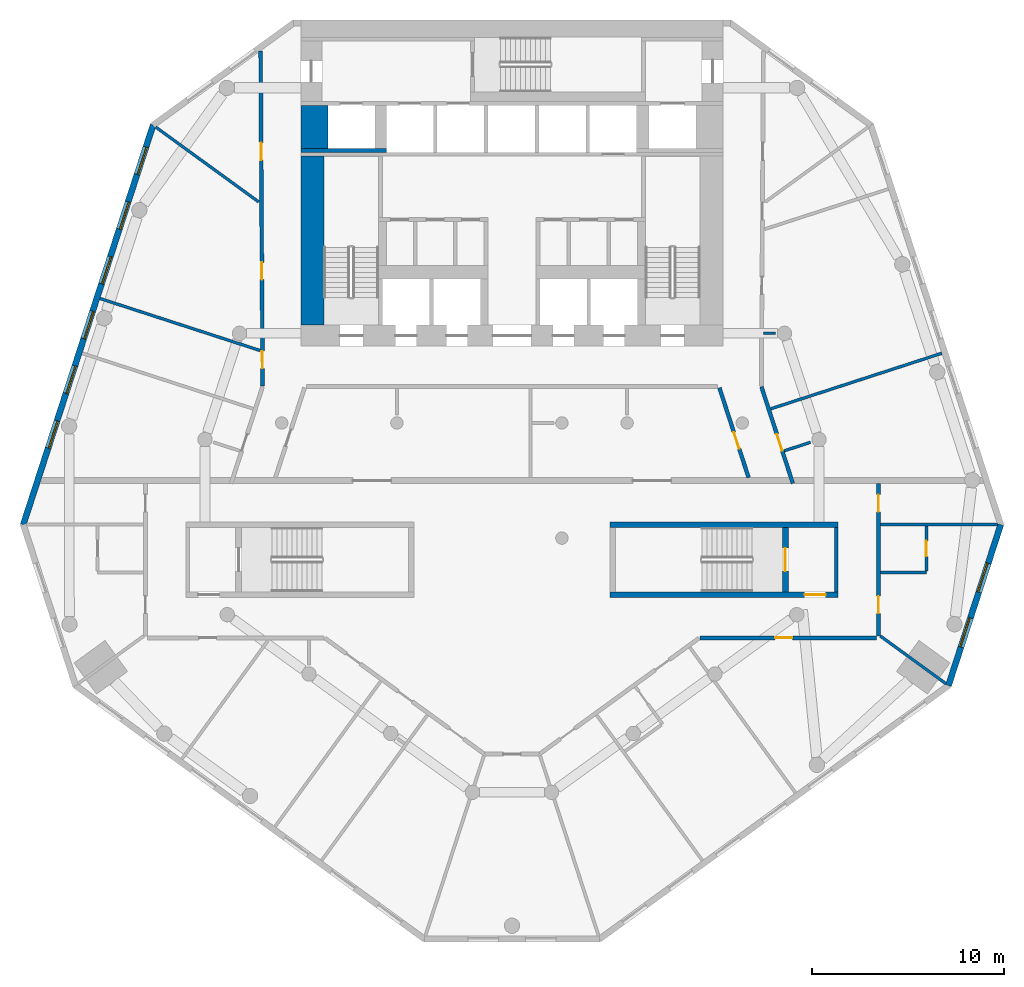
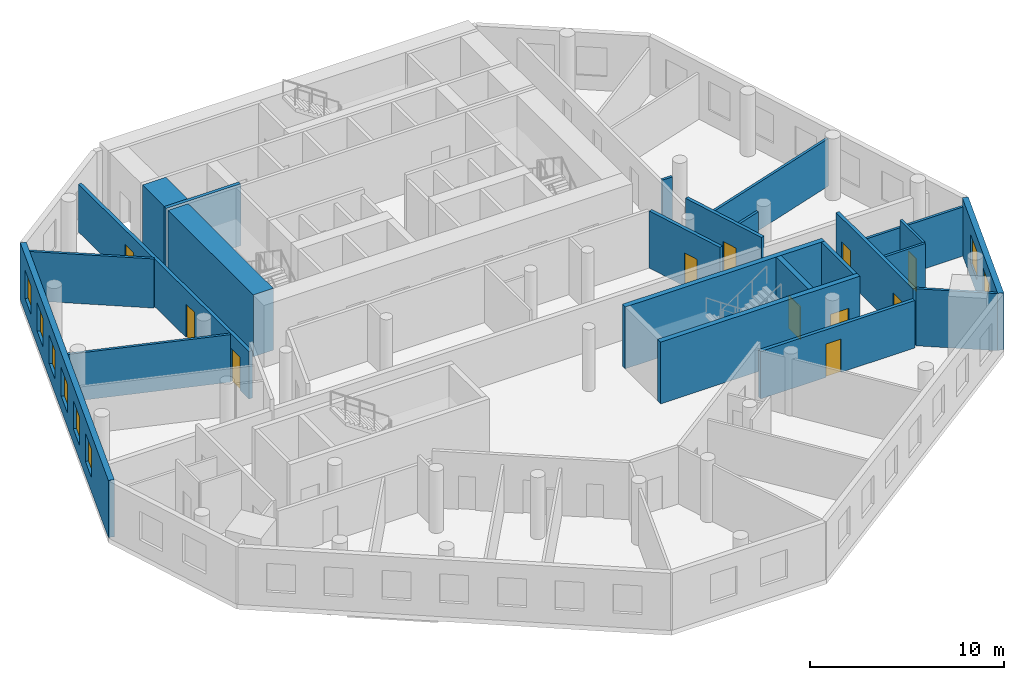
# One storey, part 4 of 9: 23 walls, 11 doors, 8 windows, 19 openings.
"""IFC4 building model written with IfcOpenShell, lengths in metres."""

from ifc_helpers import new_model, si_unit, direction, frame, frame_2d, origin, place, context, subcontext, project, spatial, rectangle, extrude, material, layer, layer_set, type_object, element, fill, save


model = new_model("IFC4")

# Units and contexts
model_context = context("Model", 3, precision=1e-05, world=origin(), true_north=direction((0.0, 1.0)))
body_context = subcontext(model_context, "Body", "Model", "MODEL_VIEW")
ifc_project = project(units=[si_unit("LENGTHUNIT", "METRE"), si_unit("AREAUNIT", "SQUARE_METRE"), si_unit("VOLUMEUNIT", "CUBIC_METRE"), si_unit("PLANEANGLEUNIT", "RADIAN"), si_unit("MASSUNIT", "GRAM", prefix="KILO")], contexts=[model_context])

# Site, building, storey
site_placement = place(None, origin())
site = spatial("IfcSite", under=ifc_project, at=site_placement, CompositionType="ELEMENT")
building_placement = place(site_placement, origin())
building = spatial("IfcBuilding", under=site, at=building_placement, Name="White Candle Pilgrim Tower", CompositionType="ELEMENT")
storey_placement = place(building_placement, frame((0.0, 0.0, 133.699951171875)))
storey = spatial("IfcBuildingStorey", under=building, at=storey_placement, Name="L30", CompositionType="ELEMENT", Elevation=133.699951171875)

# Walls
ifc_material_1 = material(Name="Concrete C60/75", Category="concrete")
ifc_layer_1 = layer(ifc_material_1, 1.39990234375)
ifc_layer_set_1 = layer_set([ifc_layer_1], Name="Core wall 1400 mm Concrete C60/75")
wall_type_1 = type_object("IfcWallType", Name="Core wall 1400 mm Concrete C60/75", PredefinedType="SHEAR", material=ifc_layer_set_1)
wall_1_placement = place(storey_placement, frame((59.699951171875, 81.300048828125, 0.0), z_axis=(0.0, 0.0, 1.0), x_axis=(0.0, 1.0, 0.0)))
element("IfcWall", 1, at=wall_1_placement, inside=storey, type_object=wall_type_1, Name="WL-L30-C41", PredefinedType="SHEAR", context=body_context, shape_type="SweptSolid", body=[
    extrude(rectangle(XDim=2.25, YDim=1.39990234375, at=frame_2d((1.125, 0.0))), origin(), (0.0, 0.0, 1.0), 3.900146484375),
])
ifc_layer_2 = layer(ifc_material_1, 0.199951171875)
ifc_layer_set_2 = layer_set([ifc_layer_2], Name="Core wall 200 mm Concrete C60/75")
wall_type_2 = type_object("IfcWallType", Name="Core wall 200 mm Concrete C60/75", PredefinedType="SHEAR", material=ifc_layer_set_2)
wall_2_placement = place(storey_placement, frame((86.89990234375, 58.199951171875, 0.0), z_axis=(0.0, 0.0, 1.0), x_axis=(0.0, 1.0, 0.0)))
element("IfcWall", 2, at=wall_2_placement, inside=storey, type_object=wall_type_2, Name="WL-L30-C08", PredefinedType="SHEAR", context=body_context, shape_type="SweptSolid", body=[
    extrude(rectangle(XDim=3.35009765625, YDim=0.199951171875, at=frame_2d((1.675048828125, 0.0))), origin(), (0.0, 0.0, 1.0), 3.900146484375),
])
wall_3_placement = place(storey_placement, frame((59.0, 81.199951171875, 0.0), z_axis=(0.0, 0.0, 1.0), x_axis=(1.0, 0.0, 0.0)))
element("IfcWall", 3, at=wall_3_placement, inside=storey, type_object=wall_type_2, Name="WL-L30-C35", PredefinedType="SHEAR", context=body_context, shape_type="SweptSolid", body=[
    extrude(rectangle(XDim=4.449951171875, YDim=0.199951171875, at=frame_2d((2.22509765625, 0.0))), origin(), (0.0, 0.0, 1.0), 3.900146484375),
])

# Wall, openings, doors
ifc_material_2 = material(Name="Gypsum board on steel studs", Category="steel")
ifc_layer_3 = layer(ifc_material_2, 0.199951171875)
ifc_layer_set_3 = layer_set([ifc_layer_3], Name="Corridor wall 200 mm EI 45")
wall_type_3 = type_object("IfcWallType", Name="Corridor wall 200 mm EI 45", PredefinedType="PARTITIONING", material=ifc_layer_set_3)
wall_4_placement = place(storey_placement, frame((57.00390625, 68.916015625, 0.0), z_axis=(0.0, 0.0, 1.0), x_axis=(-0.005949698459, 0.999982300387, 0.0)))
wall_4 = element("IfcWall", 4, at=wall_4_placement, inside=storey, type_object=wall_type_3, Name="WL-L30-P003", PredefinedType="PARTITIONING", context=body_context, shape_type="SweptSolid", body=[
    extrude(rectangle(XDim=17.48046875, YDim=0.199951171875, at=frame_2d((8.740234375, 0.0))), origin(), (0.0, 0.0, 1.0), 3.0),
])
opening_1_placement = place(wall_4_placement, frame((0.931396484375, 0.0, 0.0)))
opening_1 = element("IfcOpeningElement", 5, at=opening_1_placement, cuts=wall_4, Name="Opening T09-118", PredefinedType="OPENING", context=body_context, shape_type="SweptSolid", body=[
    extrude(rectangle(XDim=0.89990234375, YDim=2.10009765625, at=frame_2d((0.449951171875, 1.050048828125))), frame((0.0, 0.10986328125, 0.0), z_axis=(0.0, -1.0, 0.0), x_axis=(1.0, 0.0, 0.0)), (0.0, 0.0, 1.0), 0.219970703125),
])
opening_2_placement = place(wall_4_placement, frame((5.552978515625, 0.0, 0.0)))
opening_2 = element("IfcOpeningElement", 6, at=opening_2_placement, cuts=wall_4, Name="Opening T09-119", PredefinedType="OPENING", context=body_context, shape_type="SweptSolid", body=[
    extrude(rectangle(XDim=0.89990234375, YDim=2.10009765625, at=frame_2d((0.449951171875, 1.050048828125))), frame((0.0, 0.10986328125, 0.0), z_axis=(0.0, -1.0, 0.0), x_axis=(1.0, 0.0, 0.0)), (0.0, 0.0, 1.0), 0.219970703125),
])
opening_3_placement = place(wall_4_placement, frame((11.786376953125, 0.0, 0.0)))
opening_3 = element("IfcOpeningElement", 7, at=opening_3_placement, cuts=wall_4, Name="Opening T09-120", PredefinedType="OPENING", context=body_context, shape_type="SweptSolid", body=[
    extrude(rectangle(XDim=0.89990234375, YDim=2.10009765625, at=frame_2d((0.449951171875, 1.050048828125))), frame((0.0, 0.10986328125, 0.0), z_axis=(0.0, -1.0, 0.0), x_axis=(1.0, 0.0, 0.0)), (0.0, 0.0, 1.0), 0.219970703125),
])
ifc_material_3 = material(Name="Steel door leaf", Category="steel")
door_type_1 = type_object("IfcDoorType", Name="Fire door 900 x 2100 EI 30", OperationType="NOTDEFINED", PredefinedType="DOOR", material=ifc_material_3)
door_1_placement = place(opening_1_placement, origin())
door_1 = element("IfcDoor", 8, at=door_1_placement, inside=storey, type_object=door_type_1, Name="Door T09-118", OperationType="SINGLE_SWING_RIGHT", OverallHeight=2.10009765625, OverallWidth=0.89990234375, PredefinedType="DOOR", context=body_context, shape_type="SweptSolid", body=[
    extrude(rectangle(XDim=0.89990234375, YDim=2.10009765625, at=frame_2d((0.449951171875, 1.050048828125))), frame((0.0, 0.02490234375, 0.0), z_axis=(0.0, -1.0, 0.0), x_axis=(1.0, 0.0, 0.0)), (0.0, 0.0, 1.0), 0.050048828125),
])
fill(opening_1, door_1)
door_2_placement = place(opening_2_placement, origin())
door_2 = element("IfcDoor", 9, at=door_2_placement, inside=storey, type_object=door_type_1, Name="Door T09-119", OperationType="SINGLE_SWING_LEFT", OverallHeight=2.10009765625, OverallWidth=0.89990234375, PredefinedType="DOOR", context=body_context, shape_type="SweptSolid", body=[
    extrude(rectangle(XDim=0.89990234375, YDim=2.10009765625, at=frame_2d((0.449951171875, 1.050048828125))), frame((0.0, 0.02490234375, 0.0), z_axis=(0.0, -1.0, 0.0), x_axis=(1.0, 0.0, 0.0)), (0.0, 0.0, 1.0), 0.050048828125),
])
fill(opening_2, door_2)
door_3_placement = place(opening_3_placement, origin())
door_3 = element("IfcDoor", 10, at=door_3_placement, inside=storey, type_object=door_type_1, Name="Door T09-120", OperationType="SINGLE_SWING_RIGHT", OverallHeight=2.10009765625, OverallWidth=0.89990234375, PredefinedType="DOOR", context=body_context, shape_type="SweptSolid", body=[
    extrude(rectangle(XDim=0.89990234375, YDim=2.10009765625, at=frame_2d((0.449951171875, 1.050048828125))), frame((0.0, 0.02490234375, 0.0), z_axis=(0.0, -1.0, 0.0), x_axis=(1.0, 0.0, 0.0)), (0.0, 0.0, 1.0), 0.050048828125),
])
fill(opening_3, door_3)

# Wall, opening, door
wall_5_placement = place(storey_placement, frame((83.0009765625, 68.884521484375, 0.0), z_axis=(0.0, 0.0, 1.0), x_axis=(0.309051657945, -0.95104525272, 0.0)))
wall_5 = element("IfcWall", 11, at=wall_5_placement, inside=storey, type_object=wall_type_3, Name="WL-L30-P005", PredefinedType="PARTITIONING", context=body_context, shape_type="SweptSolid", body=[
    extrude(rectangle(XDim=5.29345703125, YDim=0.199951171875, at=frame_2d((2.646728515625, 0.0))), origin(), (0.0, 0.0, 1.0), 3.60009765625),
])
opening_4_placement = place(wall_5_placement, frame((2.602294921875, 0.0, 0.0)))
opening_4 = element("IfcOpeningElement", 12, at=opening_4_placement, cuts=wall_5, Name="Opening T09-124", PredefinedType="OPENING", context=body_context, shape_type="SweptSolid", body=[
    extrude(rectangle(XDim=0.89990234375, YDim=2.10009765625, at=frame_2d((0.449951171875, 1.050048828125))), frame((0.0, 0.10986328125, 0.0), z_axis=(0.0, -1.0, 0.0), x_axis=(1.0, 0.0, 0.0)), (0.0, 0.0, 1.0), 0.219970703125),
])
door_4_placement = place(opening_4_placement, origin())
door_4 = element("IfcDoor", 13, at=door_4_placement, inside=storey, type_object=door_type_1, Name="Door T09-124", OperationType="SINGLE_SWING_RIGHT", OverallHeight=2.10009765625, OverallWidth=0.89990234375, PredefinedType="DOOR", context=body_context, shape_type="SweptSolid", body=[
    extrude(rectangle(XDim=0.89990234375, YDim=2.10009765625, at=frame_2d((0.449951171875, 1.050048828125))), frame((0.0, 0.02490234375, 0.0), z_axis=(0.0, -1.0, 0.0), x_axis=(1.0, 0.0, 0.0)), (0.0, 0.0, 1.0), 0.050048828125),
])
fill(opening_4, door_4)

# Wall, openings, doors
wall_6_placement = place(storey_placement, frame((89.10009765625, 63.85009765625, 0.0), z_axis=(0.0, 0.0, 1.0), x_axis=(0.0, -1.0, 0.0)))
wall_6 = element("IfcWall", 14, at=wall_6_placement, inside=storey, type_object=wall_type_3, Name="WL-L30-P006", PredefinedType="PARTITIONING", context=body_context, shape_type="SweptSolid", body=[
    extrude(rectangle(XDim=7.9501953125, YDim=0.199951171875, at=frame_2d((3.97509765625, 0.0))), origin(), (0.0, 0.0, 1.0), 3.60009765625),
])
opening_5_placement = place(wall_6_placement, frame((5.867919921875, 0.0, 0.0)))
opening_5 = element("IfcOpeningElement", 15, at=opening_5_placement, cuts=wall_6, Name="Opening T09-113", PredefinedType="OPENING", context=body_context, shape_type="SweptSolid", body=[
    extrude(rectangle(XDim=0.89990234375, YDim=2.10009765625, at=frame_2d((0.449951171875, 1.050048828125))), frame((0.0, 0.10986328125, 0.0), z_axis=(0.0, -1.0, 0.0), x_axis=(1.0, 0.0, 0.0)), (0.0, 0.0, 1.0), 0.219970703125),
])
opening_6_placement = place(wall_6_placement, frame((0.587890625, 0.0, 0.0)))
opening_6 = element("IfcOpeningElement", 16, at=opening_6_placement, cuts=wall_6, Name="Opening T09-125", PredefinedType="OPENING", context=body_context, shape_type="SweptSolid", body=[
    extrude(rectangle(XDim=0.89990234375, YDim=2.10009765625, at=frame_2d((0.449951171875, 1.050048828125))), frame((0.0, 0.10986328125, 0.0), z_axis=(0.0, -1.0, 0.0), x_axis=(1.0, 0.0, 0.0)), (0.0, 0.0, 1.0), 0.219970703125),
])
door_5_placement = place(opening_5_placement, origin())
door_5 = element("IfcDoor", 17, at=door_5_placement, inside=storey, type_object=door_type_1, Name="Door T09-113", OperationType="SINGLE_SWING_LEFT", OverallHeight=2.10009765625, OverallWidth=0.89990234375, PredefinedType="DOOR", context=body_context, shape_type="SweptSolid", body=[
    extrude(rectangle(XDim=0.89990234375, YDim=2.10009765625, at=frame_2d((0.449951171875, 1.050048828125))), frame((0.0, 0.02490234375, 0.0), z_axis=(0.0, -1.0, 0.0), x_axis=(1.0, 0.0, 0.0)), (0.0, 0.0, 1.0), 0.050048828125),
])
fill(opening_5, door_5)
door_6_placement = place(opening_6_placement, origin())
door_6 = element("IfcDoor", 18, at=door_6_placement, inside=storey, type_object=door_type_1, Name="Door T09-125", OperationType="SINGLE_SWING_LEFT", OverallHeight=2.10009765625, OverallWidth=0.89990234375, PredefinedType="DOOR", context=body_context, shape_type="SweptSolid", body=[
    extrude(rectangle(XDim=0.89990234375, YDim=2.10009765625, at=frame_2d((0.449951171875, 1.050048828125))), frame((0.0, 0.02490234375, 0.0), z_axis=(0.0, -1.0, 0.0), x_axis=(1.0, 0.0, 0.0)), (0.0, 0.0, 1.0), 0.050048828125),
])
fill(opening_6, door_6)

# Wall, opening, door
wall_7_placement = place(storey_placement, frame((89.0, 55.800048828125, 0.0), z_axis=(0.0, 0.0, 1.0), x_axis=(-1.0, 0.0, 0.0)))
wall_7 = element("IfcWall", 19, at=wall_7_placement, inside=storey, type_object=wall_type_3, Name="WL-L30-P007", PredefinedType="PARTITIONING", context=body_context, shape_type="SweptSolid", body=[
    extrude(rectangle(XDim=9.2001953125, YDim=0.199951171875, at=frame_2d((4.60009765625, 0.0))), origin(), (0.0, 0.0, 1.0), 3.0),
])
opening_7_placement = place(wall_7_placement, frame((4.391357421875, 0.0, 0.0)))
opening_7 = element("IfcOpeningElement", 20, at=opening_7_placement, cuts=wall_7, Name="Opening T09-111", PredefinedType="OPENING", context=body_context, shape_type="SweptSolid", body=[
    extrude(rectangle(XDim=0.89990234375, YDim=2.10009765625, at=frame_2d((0.449951171875, 1.050048828125))), frame((0.0, 0.10986328125, 0.0), z_axis=(0.0, -1.0, 0.0), x_axis=(1.0, 0.0, 0.0)), (0.0, 0.0, 1.0), 0.219970703125),
])
door_7_placement = place(opening_7_placement, origin())
door_7 = element("IfcDoor", 21, at=door_7_placement, inside=storey, type_object=door_type_1, Name="Door T09-111", OperationType="SINGLE_SWING_LEFT", OverallHeight=2.10009765625, OverallWidth=0.89990234375, PredefinedType="DOOR", context=body_context, shape_type="SweptSolid", body=[
    extrude(rectangle(XDim=0.89990234375, YDim=2.10009765625, at=frame_2d((0.449951171875, 1.050048828125))), frame((0.0, 0.02490234375, 0.0), z_axis=(0.0, -1.0, 0.0), x_axis=(1.0, 0.0, 0.0)), (0.0, 0.0, 1.0), 0.050048828125),
])
fill(opening_7, door_7)

wall_8_placement = place(storey_placement, frame((82.331298828125, 64.14990234375, 0.0), z_axis=(0.0, 0.0, 1.0), x_axis=(-0.309031112369, 0.951051928965, 0.0)))
wall_8 = element("IfcWall", 22, at=wall_8_placement, inside=storey, type_object=wall_type_3, Name="WL-L30-P015", PredefinedType="PARTITIONING", context=body_context, shape_type="SweptSolid", body=[
    extrude(rectangle(XDim=4.921875, YDim=0.199951171875, at=frame_2d((2.4609375, 0.0))), origin(), (0.0, 0.0, 1.0), 3.60009765625),
])
opening_8_placement = place(wall_8_placement, frame((1.58447265625, 0.0, 0.0)))
opening_8 = element("IfcOpeningElement", 23, at=opening_8_placement, cuts=wall_8, Name="Opening T09-126", PredefinedType="OPENING", context=body_context, shape_type="SweptSolid", body=[
    extrude(rectangle(XDim=0.89990234375, YDim=2.10009765625, at=frame_2d((0.449951171875, 1.050048828125))), frame((0.0, 0.10986328125, 0.0), z_axis=(0.0, -1.0, 0.0), x_axis=(1.0, 0.0, 0.0)), (0.0, 0.0, 1.0), 0.219970703125),
])
door_8_placement = place(opening_8_placement, origin())
door_8 = element("IfcDoor", 24, at=door_8_placement, inside=storey, type_object=door_type_1, Name="Door T09-126", OperationType="SINGLE_SWING_RIGHT", OverallHeight=2.10009765625, OverallWidth=0.89990234375, PredefinedType="DOOR", context=body_context, shape_type="SweptSolid", body=[
    extrude(rectangle(XDim=0.89990234375, YDim=2.10009765625, at=frame_2d((0.449951171875, 1.050048828125))), frame((0.0, 0.02490234375, 0.0), z_axis=(0.0, -1.0, 0.0), x_axis=(1.0, 0.0, 0.0)), (0.0, 0.0, 1.0), 0.050048828125),
])
fill(opening_8, door_8)

# Wall, openings, windows
ifc_material_4 = material(Name="Precast concrete C40/50", Category="concrete")
ifc_layer_4 = layer(ifc_material_4, 0.320068359375)
ifc_layer_set_4 = layer_set([ifc_layer_4], Name="Facade wall EW1 precast concrete C40/50 pier wall with timber-lined reveals")
wall_type_4 = type_object("IfcWallType", Name="Facade wall EW1 precast concrete C40/50 pier wall with timber-lined reveals", PredefinedType="SOLIDWALL", material=ifc_layer_set_4)
wall_9_placement = place(storey_placement, frame((92.74755859375, 53.31494140625, 0.0), z_axis=(0.0, 0.0, 1.0), x_axis=(0.309007169839, 0.951059708424, 0.0)))
wall_9 = element("IfcWall", 25, at=wall_9_placement, inside=storey, type_object=wall_type_4, Name="Facade wall L30 E chamfer", PredefinedType="SOLIDWALL", context=body_context, shape_type="SweptSolid", body=[
    extrude(rectangle(XDim=8.815673828125, YDim=0.320068359375, at=frame_2d((4.40771484375, 0.0))), origin(), (0.0, 0.0, 1.0), 3.60009765625),
])
opening_9_placement = place(wall_9_placement, frame((2.10791015625, 0.0, 0.89990234375)))
opening_9 = element("IfcOpeningElement", 26, at=opening_9_placement, cuts=wall_9, Name="Opening W2", PredefinedType="OPENING", context=body_context, shape_type="SweptSolid", body=[
    extrude(rectangle(XDim=1.60009765625, YDim=1.800048828125, at=frame_2d((0.800048828125, 0.89990234375))), frame((0.0, 0.169921875, 0.0), z_axis=(0.0, -1.0, 0.0), x_axis=(1.0, 0.0, 0.0)), (0.0, 0.0, 1.0), 0.340087890625),
])
opening_10_placement = place(wall_9_placement, frame((5.10791015625, 0.0, 0.89990234375)))
opening_10 = element("IfcOpeningElement", 27, at=opening_10_placement, cuts=wall_9, Name="Opening W2", PredefinedType="OPENING", context=body_context, shape_type="SweptSolid", body=[
    extrude(rectangle(XDim=1.60009765625, YDim=1.800048828125, at=frame_2d((0.800048828125, 0.89990234375))), frame((0.0, 0.169921875, 0.0), z_axis=(0.0, -1.0, 0.0), x_axis=(1.0, 0.0, 0.0)), (0.0, 0.0, 1.0), 0.340087890625),
])
ifc_material_5 = material(Name="Timber frame with triple glazing", Category="wood")
window_type_1 = type_object("IfcWindowType", Name="Window W2 1600x1800 timber frame triple glazing", PartitioningType="SINGLE_PANEL", PredefinedType="WINDOW", material=ifc_material_5)
window_1_placement = place(opening_9_placement, origin())
window_1 = element("IfcWindow", 28, at=window_1_placement, inside=storey, type_object=window_type_1, Name="Window W2 L30 E chamfer 1", OverallHeight=1.800048828125, OverallWidth=1.60009765625, PartitioningType="SINGLE_PANEL", PredefinedType="WINDOW", context=body_context, shape_type="SweptSolid", body=[
    extrude(rectangle(XDim=1.60009765625, YDim=1.800048828125, at=frame_2d((0.800048828125, 0.89990234375))), frame((0.0, 0.070068359375, 0.0), z_axis=(0.0, -1.0, 0.0), x_axis=(1.0, 0.0, 0.0)), (0.0, 0.0, 1.0), 0.06005859375),
])
fill(opening_9, window_1)
window_2_placement = place(opening_10_placement, origin())
window_2 = element("IfcWindow", 29, at=window_2_placement, inside=storey, type_object=window_type_1, Name="Window W2 L30 E chamfer 2", OverallHeight=1.800048828125, OverallWidth=1.60009765625, PartitioningType="SINGLE_PANEL", PredefinedType="WINDOW", context=body_context, shape_type="SweptSolid", body=[
    extrude(rectangle(XDim=1.60009765625, YDim=1.800048828125, at=frame_2d((0.800048828125, 0.89990234375))), frame((0.0, 0.070068359375, 0.0), z_axis=(0.0, -1.0, 0.0), x_axis=(1.0, 0.0, 0.0)), (0.0, 0.0, 1.0), 0.06005859375),
])
fill(opening_10, window_2)

wall_10_placement = place(storey_placement, frame((51.29345703125, 82.520751953125, 0.0), z_axis=(0.0, 0.0, 1.0), x_axis=(-0.309009164157, -0.951059060452, 0.0)))
wall_10 = element("IfcWall", 30, at=wall_10_placement, inside=storey, type_object=wall_type_4, Name="Facade wall L30 WNW", PredefinedType="SOLIDWALL", context=body_context, shape_type="SweptSolid", body=[
    extrude(rectangle(XDim=21.89306640625, YDim=0.320068359375, at=frame_2d((10.946533203125, 0.0))), origin(), (0.0, 0.0, 1.0), 3.60009765625),
])
opening_11_placement = place(wall_10_placement, frame((1.196533203125, 0.0, 0.89990234375)))
opening_11 = element("IfcOpeningElement", 31, at=opening_11_placement, cuts=wall_10, Name="Opening W1", PredefinedType="OPENING", context=body_context, shape_type="SweptSolid", body=[
    extrude(rectangle(XDim=1.5, YDim=1.800048828125, at=frame_2d((0.75, 0.89990234375))), frame((0.0, 0.169921875, 0.0), z_axis=(0.0, -1.0, 0.0), x_axis=(1.0, 0.0, 0.0)), (0.0, 0.0, 1.0), 0.340087890625),
])
opening_12_placement = place(wall_10_placement, frame((4.196533203125, 0.0, 0.89990234375)))
opening_12 = element("IfcOpeningElement", 32, at=opening_12_placement, cuts=wall_10, Name="Opening W1", PredefinedType="OPENING", context=body_context, shape_type="SweptSolid", body=[
    extrude(rectangle(XDim=1.5, YDim=1.800048828125, at=frame_2d((0.75, 0.89990234375))), frame((0.0, 0.169921875, 0.0), z_axis=(0.0, -1.0, 0.0), x_axis=(1.0, 0.0, 0.0)), (0.0, 0.0, 1.0), 0.340087890625),
])
opening_13_placement = place(wall_10_placement, frame((7.196533203125, 0.0, 0.89990234375)))
opening_13 = element("IfcOpeningElement", 33, at=opening_13_placement, cuts=wall_10, Name="Opening W1", PredefinedType="OPENING", context=body_context, shape_type="SweptSolid", body=[
    extrude(rectangle(XDim=1.5, YDim=1.800048828125, at=frame_2d((0.75, 0.89990234375))), frame((0.0, 0.169921875, 0.0), z_axis=(0.0, -1.0, 0.0), x_axis=(1.0, 0.0, 0.0)), (0.0, 0.0, 1.0), 0.340087890625),
])
opening_14_placement = place(wall_10_placement, frame((10.196533203125, 0.0, 0.89990234375)))
opening_14 = element("IfcOpeningElement", 34, at=opening_14_placement, cuts=wall_10, Name="Opening W1", PredefinedType="OPENING", context=body_context, shape_type="SweptSolid", body=[
    extrude(rectangle(XDim=1.5, YDim=1.800048828125, at=frame_2d((0.75, 0.89990234375))), frame((0.0, 0.169921875, 0.0), z_axis=(0.0, -1.0, 0.0), x_axis=(1.0, 0.0, 0.0)), (0.0, 0.0, 1.0), 0.340087890625),
])
opening_15_placement = place(wall_10_placement, frame((13.196533203125, 0.0, 0.89990234375)))
opening_15 = element("IfcOpeningElement", 35, at=opening_15_placement, cuts=wall_10, Name="Opening W1", PredefinedType="OPENING", context=body_context, shape_type="SweptSolid", body=[
    extrude(rectangle(XDim=1.5, YDim=1.800048828125, at=frame_2d((0.75, 0.89990234375))), frame((0.0, 0.169921875, 0.0), z_axis=(0.0, -1.0, 0.0), x_axis=(1.0, 0.0, 0.0)), (0.0, 0.0, 1.0), 0.340087890625),
])
opening_16_placement = place(wall_10_placement, frame((16.196533203125, 0.0, 0.89990234375)))
opening_16 = element("IfcOpeningElement", 36, at=opening_16_placement, cuts=wall_10, Name="Opening W1", PredefinedType="OPENING", context=body_context, shape_type="SweptSolid", body=[
    extrude(rectangle(XDim=1.5, YDim=1.800048828125, at=frame_2d((0.75, 0.89990234375))), frame((0.0, 0.169921875, 0.0), z_axis=(0.0, -1.0, 0.0), x_axis=(1.0, 0.0, 0.0)), (0.0, 0.0, 1.0), 0.340087890625),
])
window_type_2 = type_object("IfcWindowType", Name="Window W1 1500x1800 timber frame triple glazing", PartitioningType="SINGLE_PANEL", PredefinedType="WINDOW", material=ifc_material_5)
window_3_placement = place(opening_11_placement, origin())
window_3 = element("IfcWindow", 37, at=window_3_placement, inside=storey, type_object=window_type_2, Name="Window W1 L30 WNW 1", OverallHeight=1.800048828125, OverallWidth=1.5, PartitioningType="SINGLE_PANEL", PredefinedType="WINDOW", context=body_context, shape_type="SweptSolid", body=[
    extrude(rectangle(XDim=1.5, YDim=1.800048828125, at=frame_2d((0.75, 0.89990234375))), frame((0.0, 0.070068359375, 0.0), z_axis=(0.0, -1.0, 0.0), x_axis=(1.0, 0.0, 0.0)), (0.0, 0.0, 1.0), 0.06005859375),
])
fill(opening_11, window_3)
window_4_placement = place(opening_12_placement, origin())
window_4 = element("IfcWindow", 38, at=window_4_placement, inside=storey, type_object=window_type_2, Name="Window W1 L30 WNW 2", OverallHeight=1.800048828125, OverallWidth=1.5, PartitioningType="SINGLE_PANEL", PredefinedType="WINDOW", context=body_context, shape_type="SweptSolid", body=[
    extrude(rectangle(XDim=1.5, YDim=1.800048828125, at=frame_2d((0.75, 0.89990234375))), frame((0.0, 0.070068359375, 0.0), z_axis=(0.0, -1.0, 0.0), x_axis=(1.0, 0.0, 0.0)), (0.0, 0.0, 1.0), 0.06005859375),
])
fill(opening_12, window_4)
window_5_placement = place(opening_13_placement, origin())
window_5 = element("IfcWindow", 39, at=window_5_placement, inside=storey, type_object=window_type_2, Name="Window W1 L30 WNW 3", OverallHeight=1.800048828125, OverallWidth=1.5, PartitioningType="SINGLE_PANEL", PredefinedType="WINDOW", context=body_context, shape_type="SweptSolid", body=[
    extrude(rectangle(XDim=1.5, YDim=1.800048828125, at=frame_2d((0.75, 0.89990234375))), frame((0.0, 0.070068359375, 0.0), z_axis=(0.0, -1.0, 0.0), x_axis=(1.0, 0.0, 0.0)), (0.0, 0.0, 1.0), 0.06005859375),
])
fill(opening_13, window_5)
window_6_placement = place(opening_14_placement, origin())
window_6 = element("IfcWindow", 40, at=window_6_placement, inside=storey, type_object=window_type_2, Name="Window W1 L30 WNW 4", OverallHeight=1.800048828125, OverallWidth=1.5, PartitioningType="SINGLE_PANEL", PredefinedType="WINDOW", context=body_context, shape_type="SweptSolid", body=[
    extrude(rectangle(XDim=1.5, YDim=1.800048828125, at=frame_2d((0.75, 0.89990234375))), frame((0.0, 0.070068359375, 0.0), z_axis=(0.0, -1.0, 0.0), x_axis=(1.0, 0.0, 0.0)), (0.0, 0.0, 1.0), 0.06005859375),
])
fill(opening_14, window_6)
window_7_placement = place(opening_15_placement, origin())
window_7 = element("IfcWindow", 41, at=window_7_placement, inside=storey, type_object=window_type_2, Name="Window W1 L30 WNW 5", OverallHeight=1.800048828125, OverallWidth=1.5, PartitioningType="SINGLE_PANEL", PredefinedType="WINDOW", context=body_context, shape_type="SweptSolid", body=[
    extrude(rectangle(XDim=1.5, YDim=1.800048828125, at=frame_2d((0.75, 0.89990234375))), frame((0.0, 0.070068359375, 0.0), z_axis=(0.0, -1.0, 0.0), x_axis=(1.0, 0.0, 0.0)), (0.0, 0.0, 1.0), 0.06005859375),
])
fill(opening_15, window_7)
window_8_placement = place(opening_16_placement, origin())
window_8 = element("IfcWindow", 42, at=window_8_placement, inside=storey, type_object=window_type_2, Name="Window W1 L30 WNW 6", OverallHeight=1.800048828125, OverallWidth=1.5, PartitioningType="SINGLE_PANEL", PredefinedType="WINDOW", context=body_context, shape_type="SweptSolid", body=[
    extrude(rectangle(XDim=1.5, YDim=1.800048828125, at=frame_2d((0.75, 0.89990234375))), frame((0.0, 0.070068359375, 0.0), z_axis=(0.0, -1.0, 0.0), x_axis=(1.0, 0.0, 0.0)), (0.0, 0.0, 1.0), 0.06005859375),
])
fill(opening_16, window_8)

# Walls
ifc_layer_5 = layer(ifc_material_2, 0.14990234375)
ifc_layer_set_5 = layer_set([ifc_layer_5], Name="Partition 150 mm EI 60")
wall_type_5 = type_object("IfcWallType", Name="Partition 150 mm EI 60", PredefinedType="PARTITIONING", material=ifc_layer_set_5)
wall_11_placement = place(storey_placement, frame((51.4296875, 82.421875, 0.0), z_axis=(0.0, 0.0, 1.0), x_axis=(0.809017368716, -0.587784737056, 0.0)))
element("IfcWall", 43, at=wall_11_placement, inside=storey, type_object=wall_type_5, Name="WL-L30-P016", PredefinedType="PARTITIONING", context=body_context, shape_type="SweptSolid", body=[
    extrude(rectangle(XDim=6.64111328125, YDim=0.14990234375, at=frame_2d((3.320556640625, 0.0))), origin(), (0.0, 0.0, 1.0), 3.10009765625),
])
wall_12_placement = place(storey_placement, frame((92.611572265625, 53.413818359375, 0.0), z_axis=(0.0, 0.0, 1.0), x_axis=(-0.809033589119, 0.587762410909, 0.0)))
element("IfcWall", 44, at=wall_12_placement, inside=storey, type_object=wall_type_5, Name="WL-L30-P021", PredefinedType="PARTITIONING", context=body_context, shape_type="SweptSolid", body=[
    extrude(rectangle(XDim=4.221435546875, YDim=0.14990234375, at=frame_2d((2.11083984375, 0.0))), origin(), (0.0, 0.0, 1.0), 3.60009765625),
])
wall_13_placement = place(storey_placement, frame((95.3037109375, 61.69921875, 0.0), z_axis=(0.0, 0.0, 1.0), x_axis=(-1.0, 0.0, 0.0)))
element("IfcWall", 45, at=wall_13_placement, inside=storey, type_object=wall_type_5, Name="WL-L30-P022", PredefinedType="PARTITIONING", context=body_context, shape_type="SweptSolid", body=[
    extrude(rectangle(XDim=6.103759765625, YDim=0.14990234375, at=frame_2d((3.0517578125, 0.0))), origin(), (0.0, 0.0, 1.0), 3.10009765625),
])
wall_14_placement = place(storey_placement, frame((48.526611328125, 73.487060546875, 0.0), z_axis=(0.0, 0.0, 1.0), x_axis=(0.951055133428, -0.309021250372, 0.0)))
element("IfcWall", 46, at=wall_14_placement, inside=storey, type_object=wall_type_5, Name="WL-L30-P024", PredefinedType="PARTITIONING", context=body_context, shape_type="SweptSolid", body=[
    extrude(rectangle(XDim=8.77197265625, YDim=0.14990234375, at=frame_2d((4.385986328125, 0.0))), origin(), (0.0, 0.0, 1.0), 3.0),
])
wall_15_placement = place(storey_placement, frame((89.199951171875, 59.19921875, 0.0), z_axis=(0.0, 0.0, 1.0), x_axis=(1.0, 0.0, 0.0)))
element("IfcWall", 47, at=wall_15_placement, inside=storey, type_object=wall_type_5, Name="WL-L30-P035", PredefinedType="PARTITIONING", context=body_context, shape_type="SweptSolid", body=[
    extrude(rectangle(XDim=2.400146484375, YDim=0.14990234375, at=frame_2d((1.2001953125, 0.0))), origin(), (0.0, 0.0, 1.0), 3.60009765625),
])

# Wall, opening, door
wall_16_placement = place(storey_placement, frame((91.60009765625, 61.624267578125, 0.0), z_axis=(0.0, 0.0, 1.0), x_axis=(0.0, -1.0, 0.0)))
wall_16 = element("IfcWall", 48, at=wall_16_placement, inside=storey, type_object=wall_type_5, Name="WL-L30-P036", PredefinedType="PARTITIONING", context=body_context, shape_type="SweptSolid", body=[
    extrude(rectangle(XDim=2.35009765625, YDim=0.14990234375, at=frame_2d((1.175048828125, 0.0))), origin(), (0.0, 0.0, 1.0), 3.60009765625),
])
opening_17_placement = place(wall_16_placement, frame((0.77490234375, 0.0, 0.0)))
opening_17 = element("IfcOpeningElement", 49, at=opening_17_placement, cuts=wall_16, Name="Opening T09-112", PredefinedType="OPENING", context=body_context, shape_type="SweptSolid", body=[
    extrude(rectangle(XDim=0.800048828125, YDim=2.10009765625, at=frame_2d((0.39990234375, 1.050048828125))), frame((0.0, 0.0849609375, 0.0), z_axis=(0.0, -1.0, 0.0), x_axis=(1.0, 0.0, 0.0)), (0.0, 0.0, 1.0), 0.169921875),
])
door_type_2 = type_object("IfcDoorType", Name="Fire door 800 x 2100 EI 30", OperationType="NOTDEFINED", PredefinedType="DOOR", material=ifc_material_3)
door_9_placement = place(opening_17_placement, origin())
door_9 = element("IfcDoor", 50, at=door_9_placement, inside=storey, type_object=door_type_2, Name="Door T09-112", OperationType="SINGLE_SWING_RIGHT", OverallHeight=2.10009765625, OverallWidth=0.800048828125, PredefinedType="DOOR", context=body_context, shape_type="SweptSolid", body=[
    extrude(rectangle(XDim=0.800048828125, YDim=2.10009765625, at=frame_2d((0.39990234375, 1.050048828125))), frame((0.0, 0.02490234375, 0.0), z_axis=(0.0, -1.0, 0.0), x_axis=(1.0, 0.0, 0.0)), (0.0, 0.0, 1.0), 0.050048828125),
])
fill(opening_17, door_9)

# Walls
wall_17_placement = place(storey_placement, frame((92.400390625, 70.6337890625, 0.0), z_axis=(0.0, 0.0, 1.0), x_axis=(-0.951060843481, -0.309003676349, 0.0)))
element("IfcWall", 51, at=wall_17_placement, inside=storey, type_object=wall_type_5, Name="WL-L30-P037", PredefinedType="PARTITIONING", context=body_context, shape_type="SweptSolid", body=[
    extrude(rectangle(XDim=9.3798828125, YDim=0.14990234375, at=frame_2d((4.68994140625, 0.0))), origin(), (0.0, 0.0, 1.0), 3.0),
])
wall_18_placement = place(storey_placement, frame((85.558837890625, 65.992919921875, 0.0), z_axis=(0.0, 0.0, 1.0), x_axis=(-0.951031575326, -0.309093744246, 0.0)))
element("IfcWall", 52, at=wall_18_placement, inside=storey, type_object=wall_type_5, Name="WL-L30-P042", PredefinedType="PARTITIONING", context=body_context, shape_type="SweptSolid", body=[
    extrude(rectangle(XDim=1.439208984375, YDim=0.14990234375, at=frame_2d((0.7197265625, 0.0))), origin(), (0.0, 0.0, 1.0), 3.60009765625),
])
wall_19_placement = place(storey_placement, frame((83.735107421875, 71.67236328125, 0.0), z_axis=(0.0, 0.0, 1.0), x_axis=(-0.999982699411, 0.005882251173, 0.0)))
element("IfcWall", 53, at=wall_19_placement, inside=storey, type_object=wall_type_5, Name="WL-L30-P043", PredefinedType="PARTITIONING", context=body_context, shape_type="SweptSolid", body=[
    extrude(rectangle(XDim=0.62255859375, YDim=0.14990234375, at=frame_2d((0.311279296875, 0.0))), origin(), (0.0, 0.0, 1.0), 3.0),
])
ifc_layer_6 = layer(ifc_material_1, 1.199951171875)
ifc_layer_set_6 = layer_set([ifc_layer_6], Name="Stair shaft wall 1200 mm Concrete C60/75")
wall_type_6 = type_object("IfcWallType", Name="Stair shaft wall 1200 mm Concrete C60/75", PredefinedType="SHEAR", material=ifc_layer_set_6)
wall_20_placement = place(storey_placement, frame((59.60009765625, 72.10009765625, 0.0), z_axis=(0.0, 0.0, 1.0), x_axis=(0.0, 1.0, 0.0)))
element("IfcWall", 54, at=wall_20_placement, inside=storey, type_object=wall_type_6, Name="WL-L30-C12", PredefinedType="SHEAR", context=body_context, shape_type="SweptSolid", body=[
    extrude(rectangle(XDim=8.7998046875, YDim=1.199951171875, at=frame_2d((4.39990234375, 0.0))), origin(), (0.0, 0.0, 1.0), 3.900146484375),
])

# Wall, opening, door
ifc_layer_7 = layer(ifc_material_1, 0.300048828125)
ifc_layer_set_7 = layer_set([ifc_layer_7], Name="Stair shaft wall 300 mm Concrete C60/75")
wall_type_7 = type_object("IfcWallType", Name="Stair shaft wall 300 mm Concrete C60/75", PredefinedType="SHEAR", material=ifc_layer_set_7)
wall_21_placement = place(storey_placement, frame((75.10009765625, 58.050048828125, 0.0), z_axis=(0.0, 0.0, 1.0), x_axis=(1.0, 0.0, 0.0)))
wall_21 = element("IfcWall", 55, at=wall_21_placement, inside=storey, type_object=wall_type_7, Name="WL-L30-C02", PredefinedType="SHEAR", context=body_context, shape_type="SweptSolid", body=[
    extrude(rectangle(XDim=11.89990234375, YDim=0.300048828125, at=frame_2d((5.949951171875, 0.0))), origin(), (0.0, 0.0, 1.0), 3.900146484375),
])
opening_18_placement = place(wall_21_placement, frame((10.14990234375, 0.0, 0.0)))
opening_18 = element("IfcOpeningElement", 56, at=opening_18_placement, cuts=wall_21, Name="Opening T09-009", PredefinedType="OPENING", context=body_context, shape_type="SweptSolid", body=[
    extrude(rectangle(XDim=1.10009765625, YDim=2.10009765625, at=frame_2d((0.550048828125, 1.050048828125))), frame((0.0, 0.159912109375, 0.0), z_axis=(0.0, -1.0, 0.0), x_axis=(1.0, 0.0, 0.0)), (0.0, 0.0, 1.0), 0.320068359375),
])
door_type_3 = type_object("IfcDoorType", Name="Fire door 1100 x 2100 EI 60", OperationType="NOTDEFINED", PredefinedType="DOOR", material=ifc_material_3)
door_10_placement = place(opening_18_placement, origin())
door_10 = element("IfcDoor", 57, at=door_10_placement, inside=storey, type_object=door_type_3, Name="Door T09-009", OperationType="SINGLE_SWING_LEFT", OverallHeight=2.10009765625, OverallWidth=1.10009765625, PredefinedType="DOOR", context=body_context, shape_type="SweptSolid", body=[
    extrude(rectangle(XDim=1.10009765625, YDim=2.10009765625, at=frame_2d((0.550048828125, 1.050048828125))), frame((0.0, 0.02490234375, 0.0), z_axis=(0.0, -1.0, 0.0), x_axis=(1.0, 0.0, 0.0)), (0.0, 0.0, 1.0), 0.050048828125),
])
fill(opening_18, door_10)

wall_22_placement = place(storey_placement, frame((84.25, 58.199951171875, 0.0), z_axis=(0.0, 0.0, 1.0), x_axis=(0.0, 1.0, 0.0)))
wall_22 = element("IfcWall", 58, at=wall_22_placement, inside=storey, type_object=wall_type_7, Name="WL-L30-C07", PredefinedType="SHEAR", context=body_context, shape_type="SweptSolid", body=[
    extrude(rectangle(XDim=3.35009765625, YDim=0.300048828125, at=frame_2d((1.675048828125, 0.0))), origin(), (0.0, 0.0, 1.0), 3.900146484375),
])
opening_19_placement = place(wall_22_placement, frame((1.074951171875, 0.0, 0.0)))
opening_19 = element("IfcOpeningElement", 59, at=opening_19_placement, cuts=wall_22, Name="Opening T09-010", PredefinedType="OPENING", context=body_context, shape_type="SweptSolid", body=[
    extrude(rectangle(XDim=1.199951171875, YDim=2.10009765625, at=frame_2d((0.60009765625, 1.050048828125))), frame((0.0, 0.159912109375, 0.0), z_axis=(0.0, -1.0, 0.0), x_axis=(1.0, 0.0, 0.0)), (0.0, 0.0, 1.0), 0.320068359375),
])
door_type_4 = type_object("IfcDoorType", Name="Fire door 1200 x 2100 EI 60", OperationType="NOTDEFINED", PredefinedType="DOOR", material=ifc_material_3)
door_11_placement = place(opening_19_placement, origin())
door_11 = element("IfcDoor", 60, at=door_11_placement, inside=storey, type_object=door_type_4, Name="Door T09-010", OperationType="SINGLE_SWING_RIGHT", OverallHeight=2.10009765625, OverallWidth=1.199951171875, PredefinedType="DOOR", context=body_context, shape_type="SweptSolid", body=[
    extrude(rectangle(XDim=1.199951171875, YDim=2.10009765625, at=frame_2d((0.60009765625, 1.050048828125))), frame((0.0, 0.02490234375, 0.0), z_axis=(0.0, -1.0, 0.0), x_axis=(1.0, 0.0, 0.0)), (0.0, 0.0, 1.0), 0.050048828125),
])
fill(opening_19, door_11)

# Wall
wall_23_placement = place(storey_placement, frame((75.10009765625, 61.699951171875, 0.0), z_axis=(0.0, 0.0, 1.0), x_axis=(1.0, 0.0, 0.0)))
element("IfcWall", 61, at=wall_23_placement, inside=storey, type_object=wall_type_7, Name="WL-L30-C10", PredefinedType="SHEAR", context=body_context, shape_type="SweptSolid", body=[
    extrude(rectangle(XDim=11.89990234375, YDim=0.300048828125, at=frame_2d((5.949951171875, 0.0))), origin(), (0.0, 0.0, 1.0), 3.900146484375),
])

save(model, "model.ifc")
